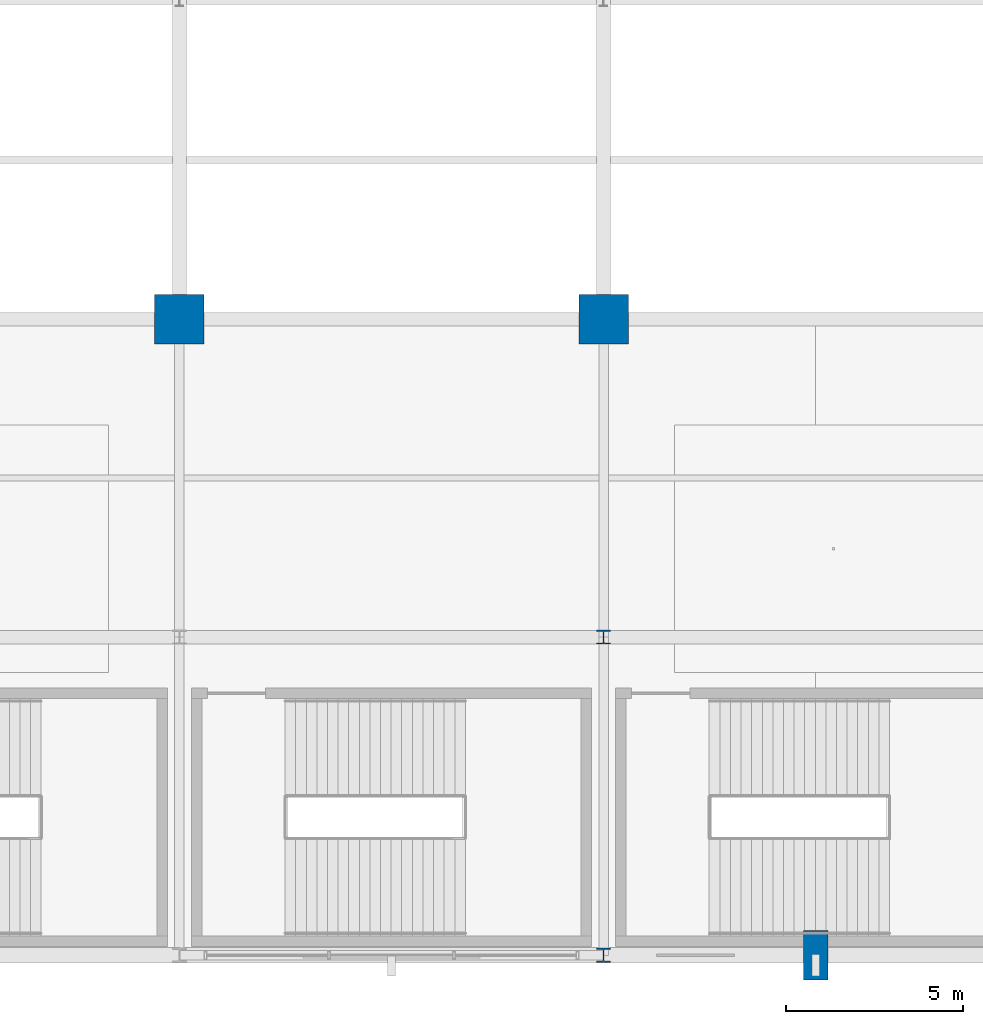
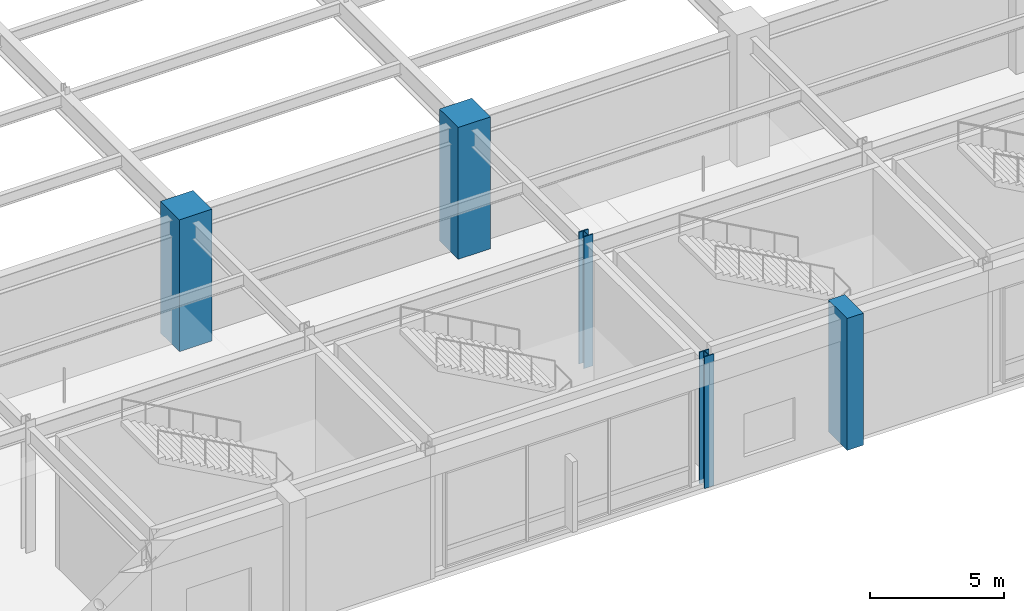
# One storey, part 2 of 105: 5 columns.
"""IFC4 building model written with IfcOpenShell, lengths in metres."""

from ifc_helpers import new_model, si_unit, direction, frame, origin, origin_2d, place, context, subcontext, project, spatial, rectangle, i_section, extrude, material, material_profile, profile_set, type_object, element, save


model = new_model("IFC4")

# Units and contexts
model_context = context("Model", 3, precision=1e-05, world=origin(), true_north=direction((0.0, 1.0)))
body_context = subcontext(model_context, "Body", "Model", "MODEL_VIEW")
ifc_project = project(units=[si_unit("LENGTHUNIT", "METRE"), si_unit("AREAUNIT", "SQUARE_METRE"), si_unit("VOLUMEUNIT", "CUBIC_METRE"), si_unit("PLANEANGLEUNIT", "RADIAN"), si_unit("MASSUNIT", "GRAM", prefix="KILO")], contexts=[model_context])

# Site, building, storey
site_placement = place(None, origin())
site = spatial("IfcSite", under=ifc_project, at=site_placement, CompositionType="ELEMENT")
building_placement = place(site_placement, origin())
building = spatial("IfcBuilding", under=site, at=building_placement, Name="Kaldorvane Square Convention Centre", CompositionType="ELEMENT")
storey_placement = place(building_placement, frame((0.0, 0.0, 6.0)))
storey = spatial("IfcBuildingStorey", under=building, at=storey_placement, Name="L01", CompositionType="ELEMENT", Elevation=6.0)

# Columns
ifc_material_1 = material(Name="Concrete f'c = 55 MPa (Normalweight)", Category="concrete")
ifc_material_profile_1 = material_profile(ifc_material_1, rectangle(XDim=1.399993896484375, YDim=1.399993896484375, at=origin_2d()), Name="RC1400X1400")
ifc_profile_set_1 = profile_set([ifc_material_profile_1], Name="Concrete f'c = 55 MPa (Normalweight)")
column_type_1 = type_object("IfcColumnType", Name="COL-MEGA-1400", PredefinedType="COLUMN", material=ifc_profile_set_1)
for number, where, z_axis, x_axis, name in (
    (1, (42.0, 18.0, 0.0), (0.0, 0.0, 1.0), (1.0, 0.0, 0.0), "Column MC-01 (L01)"),
    (2, (54.0, 18.0, 0.0), (0.0, 0.0, 1.0), (1.0, 0.0, 0.0), "Column MC-01 (L01)"),
):
    element("IfcColumn", number, at=place(storey_placement, frame(where, z_axis=z_axis, x_axis=x_axis)), inside=storey, type_object=column_type_1, Name=name, PredefinedType="COLUMN", context=body_context, shape_type="SweptSolid", body=[
        extrude(rectangle(XDim=1.399993896484375, YDim=1.399993896484375, at=origin_2d()), origin(), (0.0, 0.0, 1.0), 6.0),
    ])
ifc_material_2 = material(Name="Steel ASTM A992 Gr. 50", Category="steel")
ifc_material_profile_2 = material_profile(ifc_material_2, i_section(OverallWidth=0.40130615234375, OverallDepth=0.3993072509765625, WebThickness=0.02490234375, FlangeThickness=0.0395965576171875, FilletRadius=0.0305023193359375, at=origin_2d()), Name="W14X211")
ifc_profile_set_2 = profile_set([ifc_material_profile_2], Name="Steel ASTM A992 Gr. 50")
column_type_2 = type_object("IfcColumnType", Name="COL-STL-211", PredefinedType="COLUMN", material=ifc_profile_set_2)
for number, where, z_axis, x_axis, name in (
    (3, (54.0, 0.0, 0.0), (0.0, 0.0, 1.0), (1.0, 0.0, 0.0), "Column SC-08 (L01)"),
    (4, (54.0, 9.0, 0.0), (0.0, 0.0, 1.0), (1.0, 0.0, 0.0), "Column SC-08 (L01)"),
):
    element("IfcColumn", number, at=place(storey_placement, frame(where, z_axis=z_axis, x_axis=x_axis)), inside=storey, type_object=column_type_2, Name=name, PredefinedType="COLUMN", context=body_context, shape_type="SweptSolid", body=[
        extrude(i_section(OverallWidth=0.40130615234375, OverallDepth=0.3993072509765625, WebThickness=0.02490234375, FlangeThickness=0.0395965576171875, FilletRadius=0.0305023193359375, at=origin_2d()), origin(), (0.0, 0.0, 1.0), 6.0),
    ])
ifc_material_profile_3 = material_profile(ifc_material_1, rectangle(XDim=0.6999969482421875, YDim=1.399993896484375, at=origin_2d()), Name="PIL1400X700")
ifc_profile_set_3 = profile_set([ifc_material_profile_3], Name="Concrete f'c = 55 MPa (Normalweight)")
column_type_3 = type_object("IfcColumnType", Name="PIL-BRUT-1400", PredefinedType="PILASTER", material=ifc_profile_set_3)
column_placement = place(storey_placement, frame((60.0, 0.0, 0.0), z_axis=(0.0, 0.0, 1.0), x_axis=(1.0, 0.0, 0.0)))
element("IfcColumn", 5, at=column_placement, inside=storey, type_object=column_type_3, Name="Brutalist Colonnade Pilaster (L01)", PredefinedType="PILASTER", context=body_context, shape_type="SweptSolid", body=[
    extrude(rectangle(XDim=0.6999969482421875, YDim=1.399993896484375, at=origin_2d()), origin(), (0.0, 0.0, 1.0), 6.0),
])

save(model, "model.ifc")
